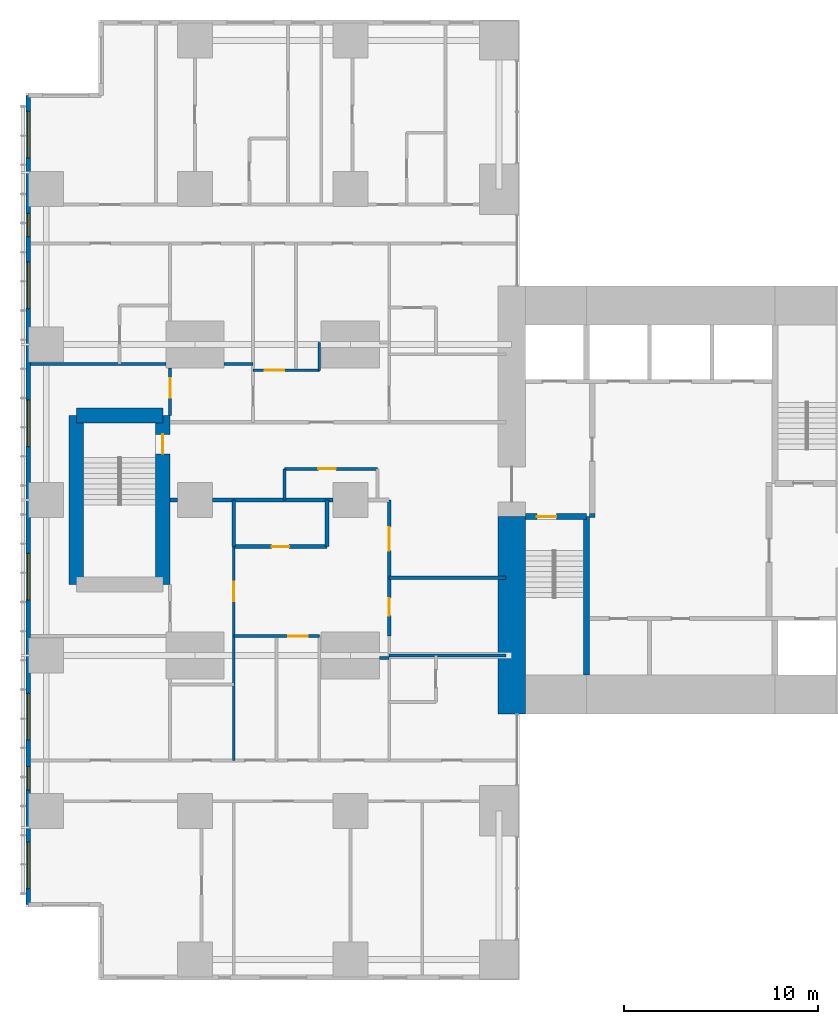
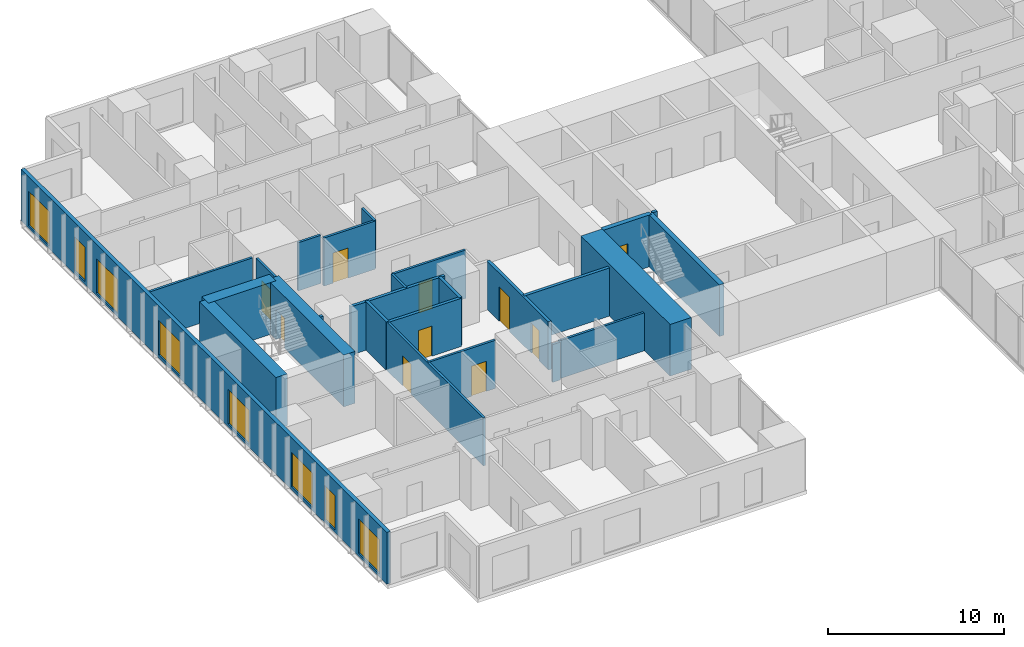
# One storey, part 13 of 20: 26 walls, 10 doors, 8 windows, 18 openings.
"""IFC4 building model written with IfcOpenShell, lengths in metres."""

import ifcopenshell
import ifcopenshell.guid

model = None  # the IFC model being written
_history = None  # IfcOwnerHistory: only IFC2X3 demands one
_inside = {}  # id of a spatial element -> (the spatial element, [elements in it])
_under = {}  # id of a project, library or spatial element -> (it, [spatial elements below it])
_declared = {}  # id of a project -> (the project, [libraries it declares])
_typed = {}  # id of a type object -> (the type object, [elements of that type])
_made_of = {}  # id of a material, layer set ... -> (it, [elements and type objects made of it])


def new_model(schema):
    """Start an empty IFC model of exactly this schema.

    Asked for "IFC4X3", IfcOpenShell would pick the latest addendum, in which some entities
    have other attributes; the version numbers below select the first issue.
    IFC2X3 requires an IfcOwnerHistory on every rooted entity: one is made here for all.
    """
    global model, _history
    if schema == "IFC4X3":
        model = ifcopenshell.file(schema_version=(4, 3, 0, 0))
    else:
        model = ifcopenshell.file(schema=schema)
    _inside.clear()
    _under.clear()
    _declared.clear()
    _typed.clear()
    _made_of.clear()
    _history = None
    if model.schema == "IFC2X3":
        org = make("IfcOrganization", Name="unknown")
        user = make(
            "IfcPersonAndOrganization",
            ThePerson=make("IfcPerson", FamilyName="unknown"),
            TheOrganization=org,
        )
        app = make(
            "IfcApplication",
            ApplicationDeveloper=org,
            Version="unknown",
            ApplicationFullName="unknown",
            ApplicationIdentifier="unknown",
        )
        _history = make(
            "IfcOwnerHistory",
            OwningUser=user,
            OwningApplication=app,
            ChangeAction="ADDED",
            CreationDate=0,
        )
    return model


def make(cls, **values):
    """One entity of the class cls with the attributes given. An attribute that is None is left unset."""
    return model.create_entity(
        cls, **{name: value for name, value in values.items() if value is not None}
    )


def rooted(cls, **values):
    """An entity with a GlobalId (a new one), such as an element, a storey or a relation."""
    return make(cls, GlobalId=ifcopenshell.guid.new(), OwnerHistory=_history, **values)


def si_unit(unit_type, name, prefix=None):
    """IfcSIUnit, for example si_unit("LENGTHUNIT", "METRE", prefix="MILLI")."""
    return make("IfcSIUnit", UnitType=unit_type, Prefix=prefix, Name=name)


def assignment(units):
    """IfcUnitAssignment: the units of a project."""
    return None if units is None else make("IfcUnitAssignment", Units=units)


def point(xyz):
    """IfcCartesianPoint."""
    return None if xyz is None else make("IfcCartesianPoint", Coordinates=xyz)


def direction(xyz):
    """IfcDirection."""
    return None if xyz is None else make("IfcDirection", DirectionRatios=xyz)


def frame(location, z_axis=None, x_axis=None):
    """IfcAxis2Placement3D, a coordinate frame: its origin and axes. An axis left out is left unset."""
    return make(
        "IfcAxis2Placement3D",
        Location=point(location),
        Axis=direction(z_axis),
        RefDirection=direction(x_axis),
    )


def frame_2d(location, x_axis=None):
    """IfcAxis2Placement2D, a coordinate frame in the plane: its origin and x axis."""
    return make(
        "IfcAxis2Placement2D", Location=point(location), RefDirection=direction(x_axis)
    )


def origin():
    """The frame at (0, 0, 0) with its axes left unset."""
    return frame((0.0, 0.0, 0.0))


def place(relative_to, where):
    """IfcLocalPlacement: puts the frame where relative to a parent placement (None: the world)."""
    return make(
        "IfcLocalPlacement", PlacementRelTo=relative_to, RelativePlacement=where
    )


def context(
    kind, dimensions, precision=None, world=None, true_north=None, identifier=None
):
    """IfcGeometricRepresentationContext, for example the 3D "Model" context."""
    return make(
        "IfcGeometricRepresentationContext",
        ContextIdentifier=identifier,
        ContextType=kind,
        CoordinateSpaceDimension=dimensions,
        Precision=precision,
        WorldCoordinateSystem=world,
        TrueNorth=true_north,
    )


def subcontext(parent, identifier, kind, view, scale=None):
    """IfcGeometricRepresentationSubContext, for example "Body" below "Model"."""
    return make(
        "IfcGeometricRepresentationSubContext",
        ContextIdentifier=identifier,
        ContextType=kind,
        ParentContext=parent,
        TargetScale=scale,
        TargetView=view,
    )


def project(units=None, contexts=None):
    """IfcProject with its units and contexts."""
    return rooted(
        "IfcProject",
        Name="project",
        RepresentationContexts=contexts,
        UnitsInContext=assignment(units),
    )


def spatial(cls, under=None, at=None, **own):
    """A site, building, storey or space (cls), placed at a placement, below another one or the project."""
    s = rooted(cls, ObjectPlacement=at, **own)
    if under is not None:
        _under.setdefault(under.id(), (under, []))[1].append(s)
    return s


def profile(cls, at=None, kind="AREA", **sizes):
    """A parametric profile (cls). Its sizes go by their IFC names, for example OverallWidth=200.0."""
    return make(cls, ProfileType=kind, Position=at, **sizes)


def rectangle(**sizes):
    """IfcRectangleProfileDef."""
    return profile("IfcRectangleProfileDef", **sizes)


def extrude(swept, where, along, depth):
    """IfcExtrudedAreaSolid: the profile swept, set in the frame where, extruded along a direction by depth."""
    return make(
        "IfcExtrudedAreaSolid",
        SweptArea=swept,
        Position=where,
        ExtrudedDirection=direction(along),
        Depth=depth,
    )


def shape(context_of_items, identifier, shape_type, items):
    """IfcShapeRepresentation: the items that make up one representation, for example the "Body"."""
    return make(
        "IfcShapeRepresentation",
        ContextOfItems=context_of_items,
        RepresentationIdentifier=identifier,
        RepresentationType=shape_type,
        Items=items,
    )


def material(Name=None, Category=None):
    """IfcMaterial."""
    return make("IfcMaterial", Name=Name, Category=Category)


def layer(
    of_material, thickness, ventilated=None, Name=None, Category=None, Priority=None
):
    """IfcMaterialLayer: one layer of a wall or slab, of a material (None: an air gap)."""
    return make(
        "IfcMaterialLayer",
        Material=of_material,
        LayerThickness=thickness,
        IsVentilated=ventilated,
        Name=Name,
        Category=Category,
        Priority=Priority,
    )


def layer_set(layers, Name=None):
    """IfcMaterialLayerSet."""
    return make("IfcMaterialLayerSet", MaterialLayers=layers, LayerSetName=Name)


def made_of(thing, what):
    """Note that an element or type object is made of a material, layer set ...; save() writes the relation."""
    if what is not None:
        _made_of.setdefault(what.id(), (what, []))[1].append(thing)
    return thing


def type_object(cls, material=None, **own):
    """A type object (cls), such as IfcWallType, which elements share."""
    return made_of(rooted(cls, **own), material)


def element(
    cls,
    number,
    at=None,
    inside=None,
    cuts=None,
    type_object=None,
    material=None,
    context=None,
    identifier="Body",
    shape_type=None,
    held_by="IfcProductDefinitionShape",
    body=None,
    shapes=None,
    **own,
):
    """One element of the class cls, such as IfcWall. Its Tag is "e" and its number.

    at: its placement. inside: the storey or other place that contains it. cuts: it is an
    opening in that element (IfcRelVoidsElement). A single representation is given by context,
    identifier, shape_type and body (its items); several are given by shapes. held_by: the class
    of the entity that holds the representations. save() writes the other relations.
    """
    e = rooted(cls, Tag="e%d" % number, ObjectPlacement=at, **own)
    if body is not None:
        shapes = [shape(context, identifier, shape_type, body)]
    if shapes is not None:
        e.Representation = make(held_by, Representations=shapes)
    if inside is not None:
        _inside.setdefault(inside.id(), (inside, []))[1].append(e)
    if cuts is not None:
        rooted(
            "IfcRelVoidsElement", RelatingBuildingElement=cuts, RelatedOpeningElement=e
        )
    if type_object is not None:
        _typed.setdefault(type_object.id(), (type_object, []))[1].append(e)
    return made_of(e, material)


def fill(opening, filler):
    """IfcRelFillsElement: the door or window that sits in an opening."""
    return rooted(
        "IfcRelFillsElement",
        RelatingOpeningElement=opening,
        RelatedBuildingElement=filler,
    )


def aggregate(whole, parts):
    """IfcRelAggregates: a whole, such as a stair, and the parts it consists of."""
    return rooted("IfcRelAggregates", RelatingObject=whole, RelatedObjects=parts)


def save(model, path):
    """Write the relations noted so far, then the file.

    IfcRelAggregates (storeys below a building ...), IfcRelContainedInSpatialStructure (elements
    in a storey), IfcRelDefinesByType, IfcRelAssociatesMaterial and IfcRelDeclares: one each for
    every whole, place, type object, material and project.
    """
    for whole, parts in _under.values():
        aggregate(whole, parts)
    for where, things in _inside.values():
        rooted(
            "IfcRelContainedInSpatialStructure",
            RelatedElements=things,
            RelatingStructure=where,
        )
    for kind, things in _typed.values():
        rooted("IfcRelDefinesByType", RelatedObjects=things, RelatingType=kind)
    for what, things in _made_of.values():
        rooted("IfcRelAssociatesMaterial", RelatedObjects=things, RelatingMaterial=what)
    for by, libraries in _declared.values():
        rooted("IfcRelDeclares", RelatingContext=by, RelatedDefinitions=libraries)
    model.write(path)


model = new_model("IFC4")

# Units and contexts
model_context = context("Model", 3, precision=1e-05, world=origin(), true_north=direction((0.0, 1.0)))
body_context = subcontext(model_context, "Body", "Model", "MODEL_VIEW")
ifc_project = project(units=[si_unit("LENGTHUNIT", "METRE"), si_unit("AREAUNIT", "SQUARE_METRE"), si_unit("VOLUMEUNIT", "CUBIC_METRE"), si_unit("PLANEANGLEUNIT", "RADIAN"), si_unit("MASSUNIT", "GRAM", prefix="KILO")], contexts=[model_context])

# Site, building, storey
site_placement = place(None, origin())
site = spatial("IfcSite", under=ifc_project, at=site_placement, CompositionType="ELEMENT")
building_placement = place(site_placement, origin())
building = spatial("IfcBuilding", under=site, at=building_placement, Name="Cleftline Residences", CompositionType="ELEMENT")
storey_placement = place(building_placement, frame((0.0, 0.0, 207.39990234375)))
storey = spatial("IfcBuildingStorey", under=building, at=storey_placement, Name="L54", CompositionType="ELEMENT", Elevation=207.39990234375)

# Walls
ifc_material_1 = material(Name="Concrete B70", Category="concrete")
ifc_layer_1 = layer(ifc_material_1, 1.39990234375)
ifc_layer_set_1 = layer_set([ifc_layer_1], Name="CORE WALL 1400")
wall_type_1 = type_object("IfcWallType", Name="CORE WALL 1400", PredefinedType="SHEAR", material=ifc_layer_set_1)
wall_1_placement = place(storey_placement, frame((24.300048828125, 13.0, 0.0), z_axis=(0.0, 0.0, 1.0), x_axis=(0.0, 1.0, 0.0)))
element("IfcWall", 1, at=wall_1_placement, inside=storey, type_object=wall_type_1, Name="Core wall W0", PredefinedType="SHEAR", context=body_context, shape_type="SweptSolid", body=[
    extrude(rectangle(XDim=10.14990234375, YDim=1.39990234375, at=frame_2d((5.074951171875, 0.0))), origin(), (0.0, 0.0, 1.0), 3.60009765625),
])
ifc_material_2 = material(Name="Concrete B70", Category="concrete")
ifc_layer_2 = layer(ifc_material_2, 0.300048828125)
ifc_layer_set_2 = layer_set([ifc_layer_2], Name="CORE WALL 300")
wall_type_2 = type_object("IfcWallType", Name="CORE WALL 300", PredefinedType="SHEAR", material=ifc_layer_set_2)
wall_2_placement = place(storey_placement, frame((28.14990234375, 15.0, 0.0), z_axis=(0.0, 0.0, 1.0), x_axis=(0.0, 1.0, 0.0)))
element("IfcWall", 2, at=wall_2_placement, inside=storey, type_object=wall_type_2, Name="Core wall SA-E", PredefinedType="SHEAR", context=body_context, shape_type="SweptSolid", body=[
    extrude(rectangle(XDim=8.14990234375, YDim=0.300048828125, at=frame_2d((4.074951171875, 0.0))), origin(), (0.0, 0.0, 1.0), 3.60009765625),
])

# Wall, opening, door
wall_3_placement = place(storey_placement, frame((25.0, 23.14990234375, 0.0), z_axis=(0.0, 0.0, 1.0), x_axis=(1.0, 0.0, 0.0)))
wall_3 = element("IfcWall", 3, at=wall_3_placement, inside=storey, type_object=wall_type_2, Name="Core wall SA-N", PredefinedType="SHEAR", context=body_context, shape_type="SweptSolid", body=[
    extrude(rectangle(XDim=3.14990234375, YDim=0.300048828125, at=frame_2d((1.574951171875, 0.0))), origin(), (0.0, 0.0, 1.0), 3.60009765625),
])
opening_1_placement = place(wall_3_placement, frame((0.60009765625, 0.0, 0.0)))
opening_1 = element("IfcOpeningElement", 4, at=opening_1_placement, cuts=wall_3, Name="Opening D5", PredefinedType="OPENING", context=body_context, shape_type="SweptSolid", body=[
    extrude(rectangle(XDim=1.0, YDim=2.10009765625, at=frame_2d((0.5, 1.050048828125))), frame((0.0, 0.159912109375, 0.0), z_axis=(0.0, -1.0, 0.0), x_axis=(1.0, 0.0, 0.0)), (0.0, 0.0, 1.0), 0.320068359375),
])
ifc_material_3 = material(Name="Steel", Category="steel")
door_type_1 = type_object("IfcDoorType", Name="STAIR DOOR 1000X2100", OperationType="SINGLE_SWING_LEFT", PredefinedType="DOOR", material=ifc_material_3)
door_1_placement = place(opening_1_placement, origin())
door_1 = element("IfcDoor", 5, at=door_1_placement, inside=storey, type_object=door_type_1, Name="Stair A door", OperationType="SINGLE_SWING_RIGHT", OverallHeight=2.10009765625, OverallWidth=1.0, PredefinedType="DOOR", context=body_context, shape_type="SweptSolid", body=[
    extrude(rectangle(XDim=1.0, YDim=2.10009765625, at=frame_2d((0.5, 1.050048828125))), frame((0.0, 0.02490234375, 0.0), z_axis=(0.0, -1.0, 0.0), x_axis=(1.0, 0.0, 0.0)), (0.0, 0.0, 1.0), 0.050048828125),
])
fill(opening_1, door_1)

# Wall, openings, windows
ifc_material_4 = material(Name="Rendered reinforced concrete blockwork", Category="masonry")
ifc_layer_3 = layer(ifc_material_4, 0.25)
ifc_layer_set_3 = layer_set([ifc_layer_3], Name="EXTERNAL WALL 250")
wall_type_3 = type_object("IfcWallType", Name="EXTERNAL WALL 250", PredefinedType="SOLIDWALL", material=ifc_layer_set_3)
wall_4_placement = place(storey_placement, frame((-0.574951171875, 44.824951171875, 0.0), z_axis=(0.0, 0.0, 1.0), x_axis=(0.0, -1.0, 0.0)))
wall_4 = element("IfcWall", 6, at=wall_4_placement, inside=storey, type_object=wall_type_3, Name="External wall", PredefinedType="SOLIDWALL", context=body_context, shape_type="SweptSolid", body=[
    extrude(rectangle(XDim=41.64990234375, YDim=0.25, at=frame_2d((20.824951171875, 0.0))), origin(), (0.0, 0.0, 1.0), 3.60009765625),
])
opening_2_placement = place(wall_4_placement, frame((0.824951171875, 0.0, 0.199951171875)))
opening_2 = element("IfcOpeningElement", 7, at=opening_2_placement, cuts=wall_4, Name="Opening W9", PredefinedType="OPENING", context=body_context, shape_type="SweptSolid", body=[
    extrude(rectangle(XDim=2.39990234375, YDim=2.39990234375, at=frame_2d((1.199951171875, 1.199951171875))), frame((0.0, 0.135009765625, 0.0), z_axis=(0.0, -1.0, 0.0), x_axis=(1.0, 0.0, 0.0)), (0.0, 0.0, 1.0), 0.27001953125),
])
opening_3_placement = place(wall_4_placement, frame((6.074951171875, 0.0, 0.199951171875)))
opening_3 = element("IfcOpeningElement", 8, at=opening_3_placement, cuts=wall_4, Name="Opening W13", PredefinedType="OPENING", context=body_context, shape_type="SweptSolid", body=[
    extrude(rectangle(XDim=1.199951171875, YDim=2.39990234375, at=frame_2d((0.60009765625, 1.199951171875))), frame((0.0, 0.135009765625, 0.0), z_axis=(0.0, -1.0, 0.0), x_axis=(1.0, 0.0, 0.0)), (0.0, 0.0, 1.0), 0.27001953125),
])
opening_4_placement = place(wall_4_placement, frame((8.574951171875, 0.0, 0.199951171875)))
opening_4 = element("IfcOpeningElement", 9, at=opening_4_placement, cuts=wall_4, Name="Opening W9", PredefinedType="OPENING", context=body_context, shape_type="SweptSolid", body=[
    extrude(rectangle(XDim=2.39990234375, YDim=2.39990234375, at=frame_2d((1.199951171875, 1.199951171875))), frame((0.0, 0.135009765625, 0.0), z_axis=(0.0, -1.0, 0.0), x_axis=(1.0, 0.0, 0.0)), (0.0, 0.0, 1.0), 0.27001953125),
])
opening_5_placement = place(wall_4_placement, frame((15.675048828125, 0.0, 0.199951171875)))
opening_5 = element("IfcOpeningElement", 10, at=opening_5_placement, cuts=wall_4, Name="Opening W9", PredefinedType="OPENING", context=body_context, shape_type="SweptSolid", body=[
    extrude(rectangle(XDim=2.39990234375, YDim=2.39990234375, at=frame_2d((1.199951171875, 1.199951171875))), frame((0.0, 0.135009765625, 0.0), z_axis=(0.0, -1.0, 0.0), x_axis=(1.0, 0.0, 0.0)), (0.0, 0.0, 1.0), 0.27001953125),
])
opening_6_placement = place(wall_4_placement, frame((23.574951171875, 0.0, 0.199951171875)))
opening_6 = element("IfcOpeningElement", 11, at=opening_6_placement, cuts=wall_4, Name="Opening W9", PredefinedType="OPENING", context=body_context, shape_type="SweptSolid", body=[
    extrude(rectangle(XDim=2.39990234375, YDim=2.39990234375, at=frame_2d((1.199951171875, 1.199951171875))), frame((0.0, 0.135009765625, 0.0), z_axis=(0.0, -1.0, 0.0), x_axis=(1.0, 0.0, 0.0)), (0.0, 0.0, 1.0), 0.27001953125),
])
opening_7_placement = place(wall_4_placement, frame((30.77490234375, 0.0, 0.199951171875)))
opening_7 = element("IfcOpeningElement", 12, at=opening_7_placement, cuts=wall_4, Name="Opening W9", PredefinedType="OPENING", context=body_context, shape_type="SweptSolid", body=[
    extrude(rectangle(XDim=2.39990234375, YDim=2.39990234375, at=frame_2d((1.199951171875, 1.199951171875))), frame((0.0, 0.135009765625, 0.0), z_axis=(0.0, -1.0, 0.0), x_axis=(1.0, 0.0, 0.0)), (0.0, 0.0, 1.0), 0.27001953125),
])
opening_8_placement = place(wall_4_placement, frame((34.550048828125, 0.0, 0.199951171875)))
opening_8 = element("IfcOpeningElement", 13, at=opening_8_placement, cuts=wall_4, Name="Opening W13", PredefinedType="OPENING", context=body_context, shape_type="SweptSolid", body=[
    extrude(rectangle(XDim=1.199951171875, YDim=2.39990234375, at=frame_2d((0.60009765625, 1.199951171875))), frame((0.0, 0.135009765625, 0.0), z_axis=(0.0, -1.0, 0.0), x_axis=(1.0, 0.0, 0.0)), (0.0, 0.0, 1.0), 0.27001953125),
])
opening_9_placement = place(wall_4_placement, frame((38.425048828125, 0.0, 0.199951171875)))
opening_9 = element("IfcOpeningElement", 14, at=opening_9_placement, cuts=wall_4, Name="Opening W9", PredefinedType="OPENING", context=body_context, shape_type="SweptSolid", body=[
    extrude(rectangle(XDim=2.39990234375, YDim=2.39990234375, at=frame_2d((1.199951171875, 1.199951171875))), frame((0.0, 0.135009765625, 0.0), z_axis=(0.0, -1.0, 0.0), x_axis=(1.0, 0.0, 0.0)), (0.0, 0.0, 1.0), 0.27001953125),
])
ifc_material_5 = material(Name="Aluminium frame, clear double glazing", Category="aluminium")
window_type_1 = type_object("IfcWindowType", Name="WINDOW 1200X2400", PartitioningType="DOUBLE_PANEL_VERTICAL", PredefinedType="WINDOW", material=ifc_material_5)
window_1_placement = place(opening_3_placement, origin())
window_1 = element("IfcWindow", 15, at=window_1_placement, inside=storey, type_object=window_type_1, Name="Window", OverallHeight=2.39990234375, OverallWidth=1.199951171875, PartitioningType="SINGLE_PANEL", PredefinedType="WINDOW", context=body_context, shape_type="SweptSolid", body=[
    extrude(rectangle(XDim=1.199951171875, YDim=2.39990234375, at=frame_2d((0.60009765625, 1.199951171875))), frame((0.0, 0.030029296875, 0.0), z_axis=(0.0, -1.0, 0.0), x_axis=(1.0, 0.0, 0.0)), (0.0, 0.0, 1.0), 0.06005859375),
])
fill(opening_3, window_1)
window_2_placement = place(opening_8_placement, origin())
window_2 = element("IfcWindow", 16, at=window_2_placement, inside=storey, type_object=window_type_1, Name="Window", OverallHeight=2.39990234375, OverallWidth=1.199951171875, PartitioningType="SINGLE_PANEL", PredefinedType="WINDOW", context=body_context, shape_type="SweptSolid", body=[
    extrude(rectangle(XDim=1.199951171875, YDim=2.39990234375, at=frame_2d((0.60009765625, 1.199951171875))), frame((0.0, 0.030029296875, 0.0), z_axis=(0.0, -1.0, 0.0), x_axis=(1.0, 0.0, 0.0)), (0.0, 0.0, 1.0), 0.06005859375),
])
fill(opening_8, window_2)
ifc_material_6 = material(Name="Aluminium frame, clear double glazing", Category="aluminium")
window_type_2 = type_object("IfcWindowType", Name="WINDOW 2400X2400", PartitioningType="DOUBLE_PANEL_VERTICAL", PredefinedType="WINDOW", material=ifc_material_6)
window_3_placement = place(opening_2_placement, origin())
window_3 = element("IfcWindow", 17, at=window_3_placement, inside=storey, type_object=window_type_2, Name="Window", OverallHeight=2.39990234375, OverallWidth=2.39990234375, PartitioningType="SINGLE_PANEL", PredefinedType="WINDOW", context=body_context, shape_type="SweptSolid", body=[
    extrude(rectangle(XDim=2.39990234375, YDim=2.39990234375, at=frame_2d((1.199951171875, 1.199951171875))), frame((0.0, 0.030029296875, 0.0), z_axis=(0.0, -1.0, 0.0), x_axis=(1.0, 0.0, 0.0)), (0.0, 0.0, 1.0), 0.06005859375),
])
fill(opening_2, window_3)
window_4_placement = place(opening_4_placement, origin())
window_4 = element("IfcWindow", 18, at=window_4_placement, inside=storey, type_object=window_type_2, Name="Window", OverallHeight=2.39990234375, OverallWidth=2.39990234375, PartitioningType="SINGLE_PANEL", PredefinedType="WINDOW", context=body_context, shape_type="SweptSolid", body=[
    extrude(rectangle(XDim=2.39990234375, YDim=2.39990234375, at=frame_2d((1.199951171875, 1.199951171875))), frame((0.0, 0.030029296875, 0.0), z_axis=(0.0, -1.0, 0.0), x_axis=(1.0, 0.0, 0.0)), (0.0, 0.0, 1.0), 0.06005859375),
])
fill(opening_4, window_4)
window_5_placement = place(opening_5_placement, origin())
window_5 = element("IfcWindow", 19, at=window_5_placement, inside=storey, type_object=window_type_2, Name="Window", OverallHeight=2.39990234375, OverallWidth=2.39990234375, PartitioningType="SINGLE_PANEL", PredefinedType="WINDOW", context=body_context, shape_type="SweptSolid", body=[
    extrude(rectangle(XDim=2.39990234375, YDim=2.39990234375, at=frame_2d((1.199951171875, 1.199951171875))), frame((0.0, 0.030029296875, 0.0), z_axis=(0.0, -1.0, 0.0), x_axis=(1.0, 0.0, 0.0)), (0.0, 0.0, 1.0), 0.06005859375),
])
fill(opening_5, window_5)
window_6_placement = place(opening_6_placement, origin())
window_6 = element("IfcWindow", 20, at=window_6_placement, inside=storey, type_object=window_type_2, Name="Window", OverallHeight=2.39990234375, OverallWidth=2.39990234375, PartitioningType="SINGLE_PANEL", PredefinedType="WINDOW", context=body_context, shape_type="SweptSolid", body=[
    extrude(rectangle(XDim=2.39990234375, YDim=2.39990234375, at=frame_2d((1.199951171875, 1.199951171875))), frame((0.0, 0.030029296875, 0.0), z_axis=(0.0, -1.0, 0.0), x_axis=(1.0, 0.0, 0.0)), (0.0, 0.0, 1.0), 0.06005859375),
])
fill(opening_6, window_6)
window_7_placement = place(opening_7_placement, origin())
window_7 = element("IfcWindow", 21, at=window_7_placement, inside=storey, type_object=window_type_2, Name="Window", OverallHeight=2.39990234375, OverallWidth=2.39990234375, PartitioningType="SINGLE_PANEL", PredefinedType="WINDOW", context=body_context, shape_type="SweptSolid", body=[
    extrude(rectangle(XDim=2.39990234375, YDim=2.39990234375, at=frame_2d((1.199951171875, 1.199951171875))), frame((0.0, 0.030029296875, 0.0), z_axis=(0.0, -1.0, 0.0), x_axis=(1.0, 0.0, 0.0)), (0.0, 0.0, 1.0), 0.06005859375),
])
fill(opening_7, window_7)
window_8_placement = place(opening_9_placement, origin())
window_8 = element("IfcWindow", 22, at=window_8_placement, inside=storey, type_object=window_type_2, Name="Window", OverallHeight=2.39990234375, OverallWidth=2.39990234375, PartitioningType="SINGLE_PANEL", PredefinedType="WINDOW", context=body_context, shape_type="SweptSolid", body=[
    extrude(rectangle(XDim=2.39990234375, YDim=2.39990234375, at=frame_2d((1.199951171875, 1.199951171875))), frame((0.0, 0.030029296875, 0.0), z_axis=(0.0, -1.0, 0.0), x_axis=(1.0, 0.0, 0.0)), (0.0, 0.0, 1.0), 0.06005859375),
])
fill(opening_9, window_8)

# Wall
ifc_material_7 = material(Name="Concrete blockwork, fire rated", Category="masonry")
ifc_layer_4 = layer(ifc_material_7, 0.199951171875)
ifc_layer_set_4 = layer_set([ifc_layer_4], Name="FIRE WALL 200")
wall_type_4 = type_object("IfcWallType", Name="FIRE WALL 200", PredefinedType="PARTITIONING", material=ifc_layer_set_4)
wall_5_placement = place(storey_placement, frame((18.0, 20.0, 0.0), z_axis=(0.0, 0.0, 1.0), x_axis=(1.0, 0.0, 0.0)))
element("IfcWall", 23, at=wall_5_placement, inside=storey, type_object=wall_type_4, Name="Fire separating wall", PredefinedType="PARTITIONING", context=body_context, shape_type="SweptSolid", body=[
    extrude(rectangle(XDim=6.0, YDim=0.199951171875, at=frame_2d((3.0, 0.0))), origin(), (0.0, 0.0, 1.0), 3.35009765625),
])

# Wall, opening, door
wall_6_placement = place(storey_placement, frame((10.0, 21.60009765625, 0.0), z_axis=(0.0, 0.0, 1.0), x_axis=(1.0, 0.0, 0.0)))
wall_6 = element("IfcWall", 24, at=wall_6_placement, inside=storey, type_object=wall_type_4, Name="Fire separating wall", PredefinedType="PARTITIONING", context=body_context, shape_type="SweptSolid", body=[
    extrude(rectangle(XDim=4.800048828125, YDim=0.199951171875, at=frame_2d((2.39990234375, 0.0))), origin(), (0.0, 0.0, 1.0), 3.35009765625),
])
opening_10_placement = place(wall_6_placement, frame((1.949951171875, 0.0, 0.0)))
opening_10 = element("IfcOpeningElement", 25, at=opening_10_placement, cuts=wall_6, Name="Opening D1F30", PredefinedType="OPENING", context=body_context, shape_type="SweptSolid", body=[
    extrude(rectangle(XDim=0.89990234375, YDim=2.10009765625, at=frame_2d((0.449951171875, 1.050048828125))), frame((0.0, 0.10986328125, 0.0), z_axis=(0.0, -1.0, 0.0), x_axis=(1.0, 0.0, 0.0)), (0.0, 0.0, 1.0), 0.219970703125),
])
ifc_material_8 = material(Name="Timber veneer on solid core", Category="wood")
door_type_2 = type_object("IfcDoorType", Name="DOOR 900X2100 EI 30", OperationType="SINGLE_SWING_LEFT", PredefinedType="DOOR", material=ifc_material_8)
door_2_placement = place(opening_10_placement, origin())
door_2 = element("IfcDoor", 26, at=door_2_placement, inside=storey, type_object=door_type_2, Name="Door to cloakroom wc", OperationType="SINGLE_SWING_LEFT", OverallHeight=2.10009765625, OverallWidth=0.89990234375, PredefinedType="DOOR", context=body_context, shape_type="SweptSolid", body=[
    extrude(rectangle(XDim=0.89990234375, YDim=2.10009765625, at=frame_2d((0.449951171875, 1.050048828125))), frame((0.0, 0.02490234375, 0.0), z_axis=(0.0, -1.0, 0.0), x_axis=(1.0, 0.0, 0.0)), (0.0, 0.0, 1.0), 0.050048828125),
])
fill(opening_10, door_2)

# Walls
wall_7_placement = place(storey_placement, frame((6.72509765625, 24.0, 0.0), z_axis=(0.0, 0.0, 1.0), x_axis=(1.0, 0.0, 0.0)))
element("IfcWall", 27, at=wall_7_placement, inside=storey, type_object=wall_type_4, Name="Fire separating wall", PredefinedType="PARTITIONING", context=body_context, shape_type="SweptSolid", body=[
    extrude(rectangle(XDim=0.375, YDim=0.199951171875, at=frame_2d((0.1875, 0.0))), origin(), (0.0, 0.0, 1.0), 3.35009765625),
])
wall_8_placement = place(storey_placement, frame((8.89990234375, 24.0, 0.0), z_axis=(0.0, 0.0, 1.0), x_axis=(1.0, 0.0, 0.0)))
element("IfcWall", 28, at=wall_8_placement, inside=storey, type_object=wall_type_4, Name="Fire separating wall", PredefinedType="PARTITIONING", context=body_context, shape_type="SweptSolid", body=[
    extrude(rectangle(XDim=6.2001953125, YDim=0.199951171875, at=frame_2d((3.10009765625, 0.0))), origin(), (0.0, 0.0, 1.0), 3.35009765625),
])
for number, where, z_axis, x_axis, name in (
    (29, (10.0, 21.60009765625, 0.0), (0.0, 0.0, 1.0), (0.0, 1.0, 0.0), "Fire separating wall"),
    (30, (14.800048828125, 21.60009765625, 0.0), (0.0, 0.0, 1.0), (0.0, 1.0, 0.0), "Fire separating wall"),
):
    element("IfcWall", number, at=place(storey_placement, frame(where, z_axis=z_axis, x_axis=x_axis)), inside=storey, type_object=wall_type_4, Name=name, PredefinedType="PARTITIONING", context=body_context, shape_type="SweptSolid", body=[
        extrude(rectangle(XDim=2.39990234375, YDim=0.199951171875, at=frame_2d((1.199951171875, 0.0))), origin(), (0.0, 0.0, 1.0), 3.35009765625),
    ])

# Wall, openings, doors
wall_9_placement = place(storey_placement, frame((18.0, 17.0, 0.0), z_axis=(0.0, 0.0, 1.0), x_axis=(0.0, 1.0, 0.0)))
wall_9 = element("IfcWall", 31, at=wall_9_placement, inside=storey, type_object=wall_type_4, Name="Fire separating wall", PredefinedType="PARTITIONING", context=body_context, shape_type="SweptSolid", body=[
    extrude(rectangle(XDim=7.0, YDim=0.199951171875, at=frame_2d((3.5, 0.0))), origin(), (0.0, 0.0, 1.0), 3.35009765625),
])
opening_11_placement = place(wall_9_placement, frame((4.39990234375, 0.0, 0.0)))
opening_11 = element("IfcOpeningElement", 32, at=opening_11_placement, cuts=wall_9, Name="Opening D4", PredefinedType="OPENING", context=body_context, shape_type="SweptSolid", body=[
    extrude(rectangle(XDim=1.199951171875, YDim=2.39990234375, at=frame_2d((0.60009765625, 1.199951171875))), frame((0.0, 0.10986328125, 0.0), z_axis=(0.0, -1.0, 0.0), x_axis=(1.0, 0.0, 0.0)), (0.0, 0.0, 1.0), 0.219970703125),
])
opening_12_placement = place(wall_9_placement, frame((1.050048828125, 0.0, 0.0)))
opening_12 = element("IfcOpeningElement", 33, at=opening_12_placement, cuts=wall_9, Name="Opening D1F30", PredefinedType="OPENING", context=body_context, shape_type="SweptSolid", body=[
    extrude(rectangle(XDim=0.89990234375, YDim=2.10009765625, at=frame_2d((0.449951171875, 1.050048828125))), frame((0.0, 0.10986328125, 0.0), z_axis=(0.0, -1.0, 0.0), x_axis=(1.0, 0.0, 0.0)), (0.0, 0.0, 1.0), 0.219970703125),
])
ifc_material_9 = material(Name="Timber veneer on solid core", Category="wood")
door_type_3 = type_object("IfcDoorType", Name="APARTMENT ENTRANCE DOOR 1200X2400", OperationType="SINGLE_SWING_RIGHT", PredefinedType="DOOR", material=ifc_material_9)
door_3_placement = place(opening_11_placement, origin())
door_3 = element("IfcDoor", 34, at=door_3_placement, inside=storey, type_object=door_type_3, Name="Door to residence entrance foyer", OperationType="SINGLE_SWING_LEFT", OverallHeight=2.39990234375, OverallWidth=1.199951171875, PredefinedType="DOOR", context=body_context, shape_type="SweptSolid", body=[
    extrude(rectangle(XDim=1.199951171875, YDim=2.39990234375, at=frame_2d((0.60009765625, 1.199951171875))), frame((0.0, 0.02490234375, 0.0), z_axis=(0.0, -1.0, 0.0), x_axis=(1.0, 0.0, 0.0)), (0.0, 0.0, 1.0), 0.050048828125),
])
fill(opening_11, door_3)
door_4_placement = place(opening_12_placement, origin())
door_4 = element("IfcDoor", 35, at=door_4_placement, inside=storey, type_object=door_type_2, Name="Door to laundry", OperationType="SINGLE_SWING_RIGHT", OverallHeight=2.10009765625, OverallWidth=0.89990234375, PredefinedType="DOOR", context=body_context, shape_type="SweptSolid", body=[
    extrude(rectangle(XDim=0.89990234375, YDim=2.10009765625, at=frame_2d((0.449951171875, 1.050048828125))), frame((0.0, 0.02490234375, 0.0), z_axis=(0.0, -1.0, 0.0), x_axis=(1.0, 0.0, 0.0)), (0.0, 0.0, 1.0), 0.050048828125),
])
fill(opening_12, door_4)

# Walls
wall_10_placement = place(storey_placement, frame((28.300048828125, 23.199951171875, 0.0), z_axis=(0.0, 0.0, 1.0), x_axis=(1.0, 0.0, 0.0)))
element("IfcWall", 36, at=wall_10_placement, inside=storey, type_object=wall_type_4, Name="Fire separating wall", PredefinedType="PARTITIONING", context=body_context, shape_type="SweptSolid", body=[
    extrude(rectangle(XDim=0.300048828125, YDim=0.199951171875, at=frame_2d((0.14990234375, 0.0))), origin(), (0.0, 0.0, 1.0), 3.60009765625),
])
ifc_material_10 = material(Name="Gypsum board on steel studs", Category="steel")
ifc_layer_5 = layer(ifc_material_10, 0.14990234375)
ifc_layer_set_5 = layer_set([ifc_layer_5], Name="PARTITION 150")
wall_type_5 = type_object("IfcWallType", Name="PARTITION 150", PredefinedType="PARTITIONING", material=ifc_layer_set_5)
wall_11_placement = place(storey_placement, frame((17.5, 15.875, 0.0), z_axis=(0.0, 0.0, 1.0), x_axis=(1.0, 0.0, 0.0)))
element("IfcWall", 37, at=wall_11_placement, inside=storey, type_object=wall_type_5, Name="Partition", PredefinedType="PARTITIONING", context=body_context, shape_type="SweptSolid", body=[
    extrude(rectangle(XDim=0.5, YDim=0.14990234375, at=frame_2d((0.25, 0.0))), origin(), (0.0, 0.0, 1.0), 2.634033203125),
])
wall_12_placement = place(storey_placement, frame((18.0, 16.0, 0.0), z_axis=(0.0, 0.0, 1.0), x_axis=(1.0, 0.0, 0.0)))
element("IfcWall", 38, at=wall_12_placement, inside=storey, type_object=wall_type_5, Name="Partition", PredefinedType="PARTITIONING", context=body_context, shape_type="SweptSolid", body=[
    extrude(rectangle(XDim=6.0, YDim=0.14990234375, at=frame_2d((3.0, 0.0))), origin(), (0.0, 0.0, 1.0), 2.634033203125),
])

# Wall, opening, door
wall_13_placement = place(storey_placement, frame((10.0, 17.0, 0.0), z_axis=(0.0, 0.0, 1.0), x_axis=(1.0, 0.0, 0.0)))
wall_13 = element("IfcWall", 39, at=wall_13_placement, inside=storey, type_object=wall_type_5, Name="Partition", PredefinedType="PARTITIONING", context=body_context, shape_type="SweptSolid", body=[
    extrude(rectangle(XDim=4.39990234375, YDim=0.14990234375, at=frame_2d((2.199951171875, 0.0))), origin(), (0.0, 0.0, 1.0), 3.35009765625),
])
opening_13_placement = place(wall_13_placement, frame((2.800048828125, 0.0, 0.0)))
opening_13 = element("IfcOpeningElement", 40, at=opening_13_placement, cuts=wall_13, Name="Opening D2", PredefinedType="OPENING", context=body_context, shape_type="SweptSolid", body=[
    extrude(rectangle(XDim=1.0, YDim=2.10009765625, at=frame_2d((0.5, 1.050048828125))), frame((0.0, 0.0849609375, 0.0), z_axis=(0.0, -1.0, 0.0), x_axis=(1.0, 0.0, 0.0)), (0.0, 0.0, 1.0), 0.169921875),
])
ifc_material_11 = material(Name="Timber veneer on solid core", Category="wood")
door_type_4 = type_object("IfcDoorType", Name="DOOR 1000X2100", OperationType="SINGLE_SWING_LEFT", PredefinedType="DOOR", material=ifc_material_11)
door_5_placement = place(opening_13_placement, origin())
door_5 = element("IfcDoor", 41, at=door_5_placement, inside=storey, type_object=door_type_4, Name="Door to residence passage", OperationType="SINGLE_SWING_LEFT", OverallHeight=2.10009765625, OverallWidth=1.0, PredefinedType="DOOR", context=body_context, shape_type="SweptSolid", body=[
    extrude(rectangle(XDim=1.0, YDim=2.10009765625, at=frame_2d((0.5, 1.050048828125))), frame((0.0, 0.02490234375, 0.0), z_axis=(0.0, -1.0, 0.0), x_axis=(1.0, 0.0, 0.0)), (0.0, 0.0, 1.0), 0.050048828125),
])
fill(opening_13, door_5)

wall_14_placement = place(storey_placement, frame((12.60009765625, 25.60009765625, 0.0), z_axis=(0.0, 0.0, 1.0), x_axis=(1.0, 0.0, 0.0)))
wall_14 = element("IfcWall", 42, at=wall_14_placement, inside=storey, type_object=wall_type_5, Name="Partition", PredefinedType="PARTITIONING", context=body_context, shape_type="SweptSolid", body=[
    extrude(rectangle(XDim=4.7998046875, YDim=0.14990234375, at=frame_2d((2.39990234375, 0.0))), origin(), (0.0, 0.0, 1.0), 3.35009765625),
])
opening_14_placement = place(wall_14_placement, frame((1.75, 0.0, 0.0)))
opening_14 = element("IfcOpeningElement", 43, at=opening_14_placement, cuts=wall_14, Name="Opening D1", PredefinedType="OPENING", context=body_context, shape_type="SweptSolid", body=[
    extrude(rectangle(XDim=0.89990234375, YDim=2.10009765625, at=frame_2d((0.449951171875, 1.050048828125))), frame((0.0, 0.0849609375, 0.0), z_axis=(0.0, -1.0, 0.0), x_axis=(1.0, 0.0, 0.0)), (0.0, 0.0, 1.0), 0.169921875),
])
ifc_material_12 = material(Name="Timber veneer on solid core", Category="wood")
door_type_5 = type_object("IfcDoorType", Name="DOOR 900X2100", OperationType="SINGLE_SWING_LEFT", PredefinedType="DOOR", material=ifc_material_12)
door_6_placement = place(opening_14_placement, origin())
door_6 = element("IfcDoor", 44, at=door_6_placement, inside=storey, type_object=door_type_5, Name="Door to residents' storage room", OperationType="SINGLE_SWING_RIGHT", OverallHeight=2.10009765625, OverallWidth=0.89990234375, PredefinedType="DOOR", context=body_context, shape_type="SweptSolid", body=[
    extrude(rectangle(XDim=0.89990234375, YDim=2.10009765625, at=frame_2d((0.449951171875, 1.050048828125))), frame((0.0, 0.02490234375, 0.0), z_axis=(0.0, -1.0, 0.0), x_axis=(1.0, 0.0, 0.0)), (0.0, 0.0, 1.0), 0.050048828125),
])
fill(opening_14, door_6)

wall_15_placement = place(storey_placement, frame((11.0, 30.675048828125, 0.0), z_axis=(0.0, 0.0, 1.0), x_axis=(1.0, 0.0, 0.0)))
wall_15 = element("IfcWall", 45, at=wall_15_placement, inside=storey, type_object=wall_type_5, Name="Partition", PredefinedType="PARTITIONING", context=body_context, shape_type="SweptSolid", body=[
    extrude(rectangle(XDim=3.39990234375, YDim=0.14990234375, at=frame_2d((1.699951171875, 0.0))), origin(), (0.0, 0.0, 1.0), 3.35009765625),
])
opening_15_placement = place(wall_15_placement, frame((0.60009765625, 0.0, 0.0)))
opening_15 = element("IfcOpeningElement", 46, at=opening_15_placement, cuts=wall_15, Name="Opening D2", PredefinedType="OPENING", context=body_context, shape_type="SweptSolid", body=[
    extrude(rectangle(XDim=1.0, YDim=2.10009765625, at=frame_2d((0.5, 1.050048828125))), frame((0.0, 0.0849609375, 0.0), z_axis=(0.0, -1.0, 0.0), x_axis=(1.0, 0.0, 0.0)), (0.0, 0.0, 1.0), 0.169921875),
])
door_7_placement = place(opening_15_placement, origin())
door_7 = element("IfcDoor", 47, at=door_7_placement, inside=storey, type_object=door_type_4, Name="Door to residence passage", OperationType="SINGLE_SWING_RIGHT", OverallHeight=2.10009765625, OverallWidth=1.0, PredefinedType="DOOR", context=body_context, shape_type="SweptSolid", body=[
    extrude(rectangle(XDim=1.0, YDim=2.10009765625, at=frame_2d((0.5, 1.050048828125))), frame((0.0, 0.02490234375, 0.0), z_axis=(0.0, -1.0, 0.0), x_axis=(1.0, 0.0, 0.0)), (0.0, 0.0, 1.0), 0.050048828125),
])
fill(opening_15, door_7)

# Walls
wall_16_placement = place(storey_placement, frame((-0.449951171875, 31.0, 0.0), z_axis=(0.0, 0.0, 1.0), x_axis=(1.0, 0.0, 0.0)))
element("IfcWall", 48, at=wall_16_placement, inside=storey, type_object=wall_type_5, Name="Partition", PredefinedType="PARTITIONING", context=body_context, shape_type="SweptSolid", body=[
    extrude(rectangle(XDim=6.949951171875, YDim=0.14990234375, at=frame_2d((3.47509765625, 0.0))), origin(), (0.0, 0.0, 1.0), 3.35009765625),
])
wall_17_placement = place(storey_placement, frame((9.5, 31.0, 0.0), z_axis=(0.0, 0.0, 1.0), x_axis=(1.0, 0.0, 0.0)))
element("IfcWall", 49, at=wall_17_placement, inside=storey, type_object=wall_type_5, Name="Partition", PredefinedType="PARTITIONING", context=body_context, shape_type="SweptSolid", body=[
    extrude(rectangle(XDim=1.5, YDim=0.14990234375, at=frame_2d((0.75, 0.0))), origin(), (0.0, 0.0, 1.0), 3.35009765625),
])

# Wall, opening, door
wall_18_placement = place(storey_placement, frame((6.72509765625, 28.35009765625, 0.0), z_axis=(0.0, 0.0, 1.0), x_axis=(0.0, 1.0, 0.0)))
wall_18 = element("IfcWall", 50, at=wall_18_placement, inside=storey, type_object=wall_type_5, Name="Partition", PredefinedType="PARTITIONING", context=body_context, shape_type="SweptSolid", body=[
    extrude(rectangle(XDim=2.449951171875, YDim=0.14990234375, at=frame_2d((1.22509765625, 0.0))), origin(), (0.0, 0.0, 1.0), 3.35009765625),
])
opening_16_placement = place(wall_18_placement, frame((0.91259765625, 0.0, 0.0)))
opening_16 = element("IfcOpeningElement", 51, at=opening_16_placement, cuts=wall_18, Name="Opening D2", PredefinedType="OPENING", context=body_context, shape_type="SweptSolid", body=[
    extrude(rectangle(XDim=1.0, YDim=2.10009765625, at=frame_2d((0.5, 1.050048828125))), frame((0.0, 0.0849609375, 0.0), z_axis=(0.0, -1.0, 0.0), x_axis=(1.0, 0.0, 0.0)), (0.0, 0.0, 1.0), 0.169921875),
])
door_8_placement = place(opening_16_placement, origin())
door_8 = element("IfcDoor", 52, at=door_8_placement, inside=storey, type_object=door_type_4, Name="Door to altar room", OperationType="SINGLE_SWING_LEFT", OverallHeight=2.10009765625, OverallWidth=1.0, PredefinedType="DOOR", context=body_context, shape_type="SweptSolid", body=[
    extrude(rectangle(XDim=1.0, YDim=2.10009765625, at=frame_2d((0.5, 1.050048828125))), frame((0.0, 0.02490234375, 0.0), z_axis=(0.0, -1.0, 0.0), x_axis=(1.0, 0.0, 0.0)), (0.0, 0.0, 1.0), 0.050048828125),
])
fill(opening_16, door_8)

wall_19_placement = place(storey_placement, frame((10.0, 10.60009765625, 0.0), z_axis=(0.0, 0.0, 1.0), x_axis=(0.0, 1.0, 0.0)))
wall_19 = element("IfcWall", 53, at=wall_19_placement, inside=storey, type_object=wall_type_5, Name="Partition", PredefinedType="PARTITIONING", context=body_context, shape_type="SweptSolid", body=[
    extrude(rectangle(XDim=11.0, YDim=0.14990234375, at=frame_2d((5.5, 0.0))), origin(), (0.0, 0.0, 1.0), 3.35009765625),
])
opening_17_placement = place(wall_19_placement, frame((8.199951171875, 0.0, 0.0)))
opening_17 = element("IfcOpeningElement", 54, at=opening_17_placement, cuts=wall_19, Name="Opening D2F30", PredefinedType="OPENING", context=body_context, shape_type="SweptSolid", body=[
    extrude(rectangle(XDim=1.0, YDim=2.10009765625, at=frame_2d((0.5, 1.050048828125))), frame((0.0, 0.0849609375, 0.0), z_axis=(0.0, -1.0, 0.0), x_axis=(1.0, 0.0, 0.0)), (0.0, 0.0, 1.0), 0.169921875),
])
ifc_material_13 = material(Name="Timber veneer on solid core", Category="wood")
door_type_6 = type_object("IfcDoorType", Name="DOOR 1000X2100 EI 30", OperationType="SINGLE_SWING_LEFT", PredefinedType="DOOR", material=ifc_material_13)
door_9_placement = place(opening_17_placement, origin())
door_9 = element("IfcDoor", 55, at=door_9_placement, inside=storey, type_object=door_type_6, Name="Door to residence lobby", OperationType="SINGLE_SWING_LEFT", OverallHeight=2.10009765625, OverallWidth=1.0, PredefinedType="DOOR", context=body_context, shape_type="SweptSolid", body=[
    extrude(rectangle(XDim=1.0, YDim=2.10009765625, at=frame_2d((0.5, 1.050048828125))), frame((0.0, 0.02490234375, 0.0), z_axis=(0.0, -1.0, 0.0), x_axis=(1.0, 0.0, 0.0)), (0.0, 0.0, 1.0), 0.050048828125),
])
fill(opening_17, door_9)

# Walls
wall_20_placement = place(storey_placement, frame((12.60009765625, 24.0, 0.0), z_axis=(0.0, 0.0, 1.0), x_axis=(0.0, 1.0, 0.0)))
element("IfcWall", 56, at=wall_20_placement, inside=storey, type_object=wall_type_5, Name="Partition", PredefinedType="PARTITIONING", context=body_context, shape_type="SweptSolid", body=[
    extrude(rectangle(XDim=1.60009765625, YDim=0.14990234375, at=frame_2d((0.800048828125, 0.0))), origin(), (0.0, 0.0, 1.0), 3.35009765625),
])
wall_21_placement = place(storey_placement, frame((14.39990234375, 30.675048828125, 0.0), z_axis=(0.0, 0.0, 1.0), x_axis=(0.0, 1.0, 0.0)))
element("IfcWall", 57, at=wall_21_placement, inside=storey, type_object=wall_type_5, Name="Partition", PredefinedType="PARTITIONING", context=body_context, shape_type="SweptSolid", body=[
    extrude(rectangle(XDim=1.425048828125, YDim=0.14990234375, at=frame_2d((0.71240234375, 0.0))), origin(), (0.0, 0.0, 1.0), 3.35009765625),
])

# Wall, opening, door
ifc_material_14 = material(Name="Concrete B70", Category="concrete")
ifc_layer_6 = layer(ifc_material_14, 0.75)
ifc_layer_set_6 = layer_set([ifc_layer_6], Name="SHEAR WALL 750")
wall_type_6 = type_object("IfcWallType", Name="SHEAR WALL 750", PredefinedType="SHEAR", material=ifc_layer_set_6)
wall_22_placement = place(storey_placement, frame((6.35009765625, 19.64990234375, 0.0), z_axis=(0.0, 0.0, 1.0), x_axis=(0.0, 1.0, 0.0)))
wall_22 = element("IfcWall", 58, at=wall_22_placement, inside=storey, type_object=wall_type_6, Name="Wing shear wall", PredefinedType="SHEAR", context=body_context, shape_type="SweptSolid", body=[
    extrude(rectangle(XDim=8.7001953125, YDim=0.75, at=frame_2d((4.35009765625, 0.0))), origin(), (0.0, 0.0, 1.0), 3.60009765625),
])
opening_18_placement = place(wall_22_placement, frame((6.72509765625, 0.0, 0.0)))
opening_18 = element("IfcOpeningElement", 59, at=opening_18_placement, cuts=wall_22, Name="Opening D5", PredefinedType="OPENING", context=body_context, shape_type="SweptSolid", body=[
    extrude(rectangle(XDim=1.0, YDim=2.10009765625, at=frame_2d((0.5, 1.050048828125))), frame((0.0, 0.385009765625, 0.0), z_axis=(0.0, -1.0, 0.0), x_axis=(1.0, 0.0, 0.0)), (0.0, 0.0, 1.0), 0.77001953125),
])
door_10_placement = place(opening_18_placement, origin())
door_10 = element("IfcDoor", 60, at=door_10_placement, inside=storey, type_object=door_type_1, Name="Stair W door", OperationType="SINGLE_SWING_LEFT", OverallHeight=2.10009765625, OverallWidth=1.0, PredefinedType="DOOR", context=body_context, shape_type="SweptSolid", body=[
    extrude(rectangle(XDim=1.0, YDim=2.10009765625, at=frame_2d((0.5, 1.050048828125))), frame((0.0, 0.02490234375, 0.0), z_axis=(0.0, -1.0, 0.0), x_axis=(1.0, 0.0, 0.0)), (0.0, 0.0, 1.0), 0.050048828125),
])
fill(opening_18, door_10)

# Walls
wall_23_placement = place(storey_placement, frame((6.35009765625, 28.35009765625, 0.0), z_axis=(0.0, 0.0, 1.0), x_axis=(-1.0, 0.0, 0.0)))
element("IfcWall", 61, at=wall_23_placement, inside=storey, type_object=wall_type_6, Name="Wing shear wall", PredefinedType="SHEAR", context=body_context, shape_type="SweptSolid", body=[
    extrude(rectangle(XDim=4.4501953125, YDim=0.75, at=frame_2d((2.22509765625, 0.0))), origin(), (0.0, 0.0, 1.0), 3.60009765625),
])
wall_24_placement = place(storey_placement, frame((1.89990234375, 28.35009765625, 0.0), z_axis=(0.0, 0.0, 1.0), x_axis=(0.0, -1.0, 0.0)))
element("IfcWall", 62, at=wall_24_placement, inside=storey, type_object=wall_type_6, Name="Wing shear wall", PredefinedType="SHEAR", context=body_context, shape_type="SweptSolid", body=[
    extrude(rectangle(XDim=8.7001953125, YDim=0.75, at=frame_2d((4.35009765625, 0.0))), origin(), (0.0, 0.0, 1.0), 3.60009765625),
])

save(model, "model.ifc")
